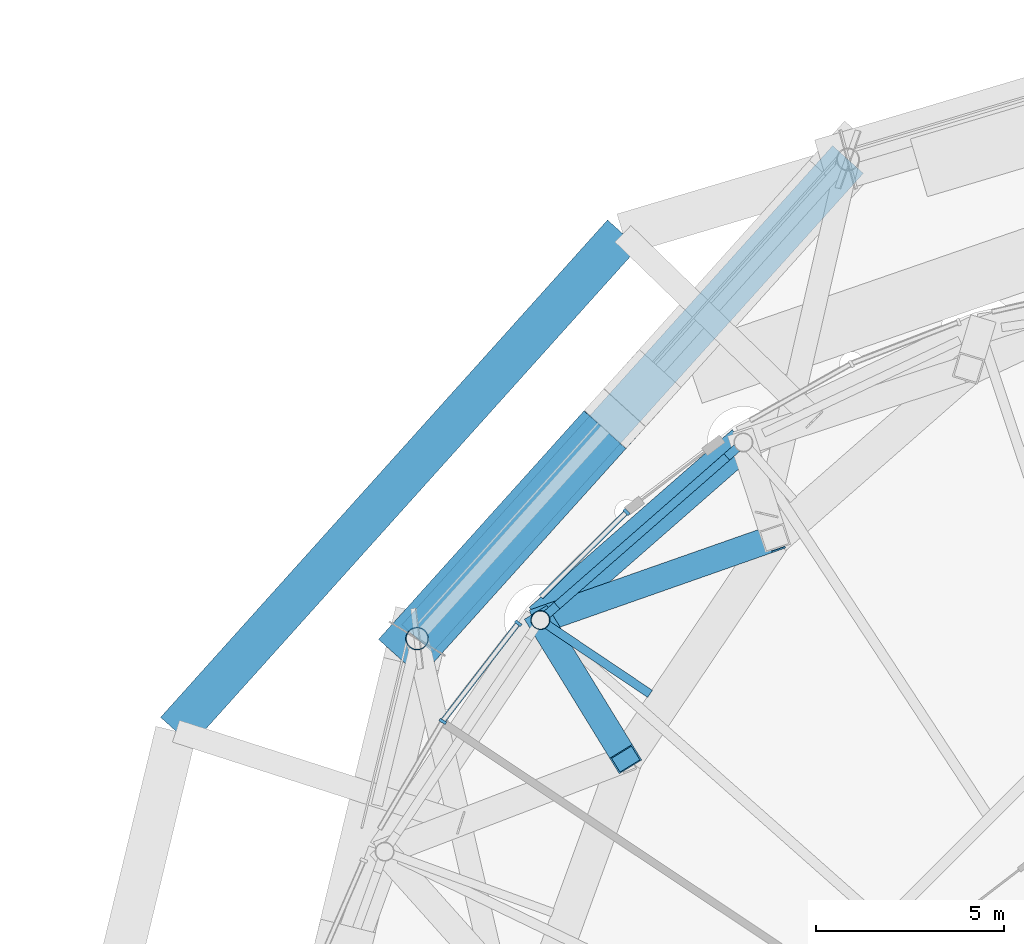
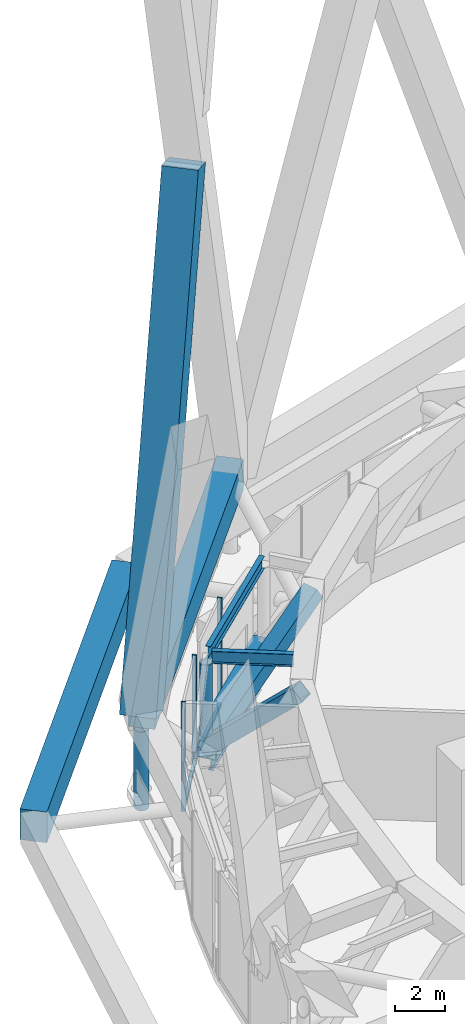
# One storey, part 29 of 49: 10 members, 6 beams, 3 elements without a shape of their own.
"""IFC4 building model written with IfcOpenShell, lengths in metres."""

from ifc_helpers import new_model, si_unit, direction, frame, origin, origin_2d, place, context, subcontext, project, spatial, rectangle, hollow_rectangle, hollow_circle, i_section, extrude, material, layer, layer_set, material_profile, profile_set, type_object, element, aggregate, save


model = new_model("IFC4")

# Units and contexts
model_context = context("Model", 3, precision=1e-05, world=origin(), true_north=direction((0.0, 1.0)))
body_context = subcontext(model_context, "Body", "Model", "MODEL_VIEW")
ifc_project = project(units=[si_unit("LENGTHUNIT", "METRE"), si_unit("AREAUNIT", "SQUARE_METRE"), si_unit("VOLUMEUNIT", "CUBIC_METRE"), si_unit("PLANEANGLEUNIT", "RADIAN"), si_unit("MASSUNIT", "GRAM", prefix="KILO")], contexts=[model_context])

# Site, building, storey
site_placement = place(None, origin())
site = spatial("IfcSite", under=ifc_project, at=site_placement, CompositionType="ELEMENT")
building_placement = place(site_placement, origin())
building = spatial("IfcBuilding", under=site, at=building_placement, Name="Nagisa Residences", CompositionType="ELEMENT")
storey_placement = place(building_placement, frame((0.0, 0.0, 160.300048828125)))
storey = spatial("IfcBuildingStorey", under=building, at=storey_placement, Name="L40", CompositionType="ELEMENT", Elevation=160.300048828125)

# Beams
ifc_material_1 = material(Name="Steel ASTM A572 Gr 50", Category="steel")
ifc_material_profile_1 = material_profile(ifc_material_1, hollow_rectangle(XDim=0.89990234375, YDim=1.199951171875, WallThickness=0.044921875, at=origin_2d()), Name="BX 900x1200x45")
ifc_profile_set_1 = profile_set([ifc_material_profile_1], Name="Steel ASTM A572 Gr 50")
beam_type_1 = type_object("IfcBeamType", Name="Belt chord 3 BX 900x1200x45", PredefinedType="BEAM", material=ifc_profile_set_1)
beam_1_placement = place(storey_placement, frame((-14.8173828125, 22.598876953125, 0.599853515625), z_axis=(-0.752513371651, -0.658576970055, 0.0), x_axis=(0.658576970055, -0.752513371651, 0.0)))
element("IfcBeam", 1, at=beam_1_placement, inside=storey, type_object=beam_type_1, Name="beam:L40:bt3b09", PredefinedType="BEAM", context=body_context, shape_type="SweptSolid", body=[
    extrude(hollow_rectangle(XDim=0.89990234375, YDim=1.199951171875, WallThickness=0.044921875, at=origin_2d()), origin(), (0.0, 0.0, 1.0), 7.16552734375),
])
ifc_material_2 = material(Name="Steel ASTM A572 Gr 50", Category="steel")
ifc_material_profile_2 = material_profile(ifc_material_2, hollow_rectangle(XDim=0.699951171875, YDim=0.699951171875, WallThickness=0.0400390625, at=origin_2d()), Name="BX 700x700x40")
ifc_profile_set_2 = profile_set([ifc_material_profile_2], Name="Steel ASTM A572 Gr 50")
beam_type_2 = type_object("IfcBeamType", Name="Belt diagonal 3 BX 700x700x40", PredefinedType="BEAM", material=ifc_profile_set_2)
beam_2_placement = place(storey_placement, frame((-20.20947265625, 17.8798828125, 0.599853515625), z_axis=(0.799020674965, 0.280588663903, 0.53182324382), x_axis=(-0.331330083036, 0.943514905063, 0.0)))
element("IfcBeam", 2, at=beam_2_placement, inside=storey, type_object=beam_type_2, Name="beam:L40:bt3da10", PredefinedType="BEAM", context=body_context, shape_type="SweptSolid", body=[
    extrude(hollow_rectangle(XDim=0.699951171875, YDim=0.699951171875, WallThickness=0.0400390625, at=origin_2d()), origin(), (0.0, 0.0, 1.0), 7.784912109375),
])
beam_3_placement = place(storey_placement, frame((-20.20947265625, 17.8798828125, 0.599853515625), z_axis=(0.378299808304, -0.616132489854, 0.690847313075), x_axis=(0.852187975652, 0.523235753895, 0.0)))
element("IfcBeam", 3, at=beam_3_placement, inside=storey, type_object=beam_type_2, Name="beam:L40:bt3db10", PredefinedType="BEAM", context=body_context, shape_type="SweptSolid", body=[
    extrude(hollow_rectangle(XDim=0.699951171875, YDim=0.699951171875, WallThickness=0.0400390625, at=origin_2d()), origin(), (0.0, 0.0, 1.0), 5.992919921875),
])

# Curtain wall, member
ifc_material_3 = material(Name="Aluminium curtain wall system", Category="aluminium")
ifc_layer = layer(ifc_material_3, 0.159912109375)
ifc_layer_set = layer_set([ifc_layer], Name="CW2 CURTAIN WALL")
curtain_wall_type = type_object("IfcCurtainWallType", Name="CW2 CURTAIN WALL", PredefinedType="NOTDEFINED", material=ifc_layer_set)
curtain_wall_1_placement = place(storey_placement, origin())
curtain_wall_1 = element("IfcCurtainWall", 4, at=curtain_wall_1_placement, inside=storey, type_object=curtain_wall_type, Name="cw:CW2:L40:17", PredefinedType="NOTDEFINED")
ifc_material_4 = material(Name="Aluminium", Category="aluminium")
ifc_material_profile_3 = material_profile(ifc_material_4, rectangle(XDim=0.199951171875, YDim=0.080078125, at=origin_2d()), Name="CW2 MULLION 200x80")
ifc_profile_set_3 = profile_set([ifc_material_profile_3], Name="Aluminium")
member_type_1 = type_object("IfcMemberType", Name="CW2 MULLION 200x80", PredefinedType="MULLION", material=ifc_profile_set_3)
member_1_placement = place(storey_placement, frame((-17.92529296875, 20.752685546875, 0.0), z_axis=(0.0, 0.0, 1.0), x_axis=(0.706376885714, -0.707835924016, 0.0)))
member_1 = element("IfcMember", 5, at=member_1_placement, type_object=member_type_1, Name="CW2 mullion", PredefinedType="MULLION", context=body_context, shape_type="SweptSolid", body=[
    extrude(rectangle(XDim=0.199951171875, YDim=0.080078125, at=origin_2d()), origin(), (0.0, 0.0, 1.0), 5.33984375),
])

curtain_wall_2_placement = place(storey_placement, origin())
curtain_wall_2 = element("IfcCurtainWall", 6, at=curtain_wall_2_placement, inside=storey, type_object=curtain_wall_type, Name="cw:CW2:L40:18", PredefinedType="NOTDEFINED")
member_2_placement = place(storey_placement, frame((-20.798828125, 17.79638671875, 0.0), z_axis=(0.0, 0.0, 1.0), x_axis=(0.792070340816, -0.610429828235, 0.0)))
member_2 = element("IfcMember", 7, at=member_2_placement, type_object=member_type_1, Name="CW2 mullion", PredefinedType="MULLION", context=body_context, shape_type="SweptSolid", body=[
    extrude(rectangle(XDim=0.199951171875, YDim=0.080078125, at=origin_2d()), origin(), (0.0, 0.0, 1.0), 5.33984375),
])

curtain_wall_3_placement = place(storey_placement, origin())
curtain_wall_3 = element("IfcCurtainWall", 8, at=curtain_wall_3_placement, inside=storey, type_object=curtain_wall_type, Name="cw:CW2:L40:19", PredefinedType="NOTDEFINED")
member_3_placement = place(storey_placement, frame((-22.802978515625, 15.18896484375, 0.0), z_axis=(0.0, 0.0, 1.0), x_axis=(0.862328898214, -0.506348567002, 0.0)))
member_3 = element("IfcMember", 9, at=member_3_placement, type_object=member_type_1, Name="CW2 mullion", PredefinedType="MULLION", context=body_context, shape_type="SweptSolid", body=[
    extrude(rectangle(XDim=0.199951171875, YDim=0.080078125, at=origin_2d()), origin(), (0.0, 0.0, 1.0), 5.33984375),
])
aggregate(curtain_wall_3, [member_3])

# Member
ifc_material_5 = material(Name="Aluminium", Category="aluminium")
ifc_material_profile_4 = material_profile(ifc_material_5, rectangle(XDim=0.139892578125, YDim=0.179931640625, at=origin_2d()), Name="CW2 TRANSOM 140x180")
ifc_profile_set_4 = profile_set([ifc_material_profile_4], Name="Aluminium")
member_type_2 = type_object("IfcMemberType", Name="CW2 TRANSOM 140x180", PredefinedType="USERDEFINED", material=ifc_profile_set_4)
member_4_placement = place(storey_placement, frame((-17.89697265625, 20.781005859375, 0.08984375), z_axis=(-0.707822990825, -0.706389845383, 0.0), x_axis=(0.706389845383, -0.707822990825, 0.0)))
member_4 = element("IfcMember", 10, at=member_4_placement, type_object=member_type_2, Name="CW2 transom", ObjectType="TRANSOM", PredefinedType="USERDEFINED", context=body_context, shape_type="SweptSolid", body=[
    extrude(rectangle(XDim=0.139892578125, YDim=0.179931640625, at=origin_2d()), origin(), (0.0, 0.0, 1.0), 3.23681640625),
])

aggregate(curtain_wall_1, [member_1, member_4])

member_5_placement = place(storey_placement, frame((-20.7744140625, 17.828125, 0.08984375), z_axis=(-0.61045080008, -0.79205417787, 0.0), x_axis=(0.79205417787, -0.61045080008, 0.0)))
member_5 = element("IfcMember", 11, at=member_5_placement, type_object=member_type_2, Name="CW2 transom", ObjectType="TRANSOM", PredefinedType="USERDEFINED", context=body_context, shape_type="SweptSolid", body=[
    extrude(rectangle(XDim=0.139892578125, YDim=0.179931640625, at=origin_2d()), origin(), (0.0, 0.0, 1.0), 3.299072265625),
])

aggregate(curtain_wall_2, [member_2, member_5])

# Members
ifc_material_6 = material(Name="Concrete C80", Category="concrete")
ifc_material_profile_5 = material_profile(ifc_material_6, rectangle(XDim=1.5, YDim=1.5, at=origin_2d()), Name="C80 1500x1500")
ifc_profile_set_5 = profile_set([ifc_material_profile_5], Name="Concrete C80")
member_type_3 = type_object("IfcMemberType", Name="Cage diagonal 4 C80 1500x1500", PredefinedType="BRACE", material=ifc_profile_set_5)
member_6_placement = place(storey_placement, frame((-23.48486328125, 17.387451171875, 3.699951171875), z_axis=(0.240088711993, 0.266960868955, 0.933321651319), x_axis=(-0.743537936889, 0.668693753827, 0.0)))
element("IfcMember", 12, at=member_6_placement, inside=storey, type_object=member_type_3, Name="mem:L40:cg4d010a", PredefinedType="BRACE", context=body_context, shape_type="SweptSolid", body=[
    extrude(rectangle(XDim=1.5, YDim=1.5, at=origin_2d()), origin(), (0.0, 0.0, 1.0), 22.740478515625),
])
ifc_material_7 = material(Name="Concrete C80", Category="concrete")
ifc_material_profile_6 = material_profile(ifc_material_7, rectangle(XDim=1.10009765625, YDim=1.5, at=origin_2d()), Name="C80 1100x1500")
ifc_profile_set_6 = profile_set([ifc_material_profile_6], Name="Concrete C80")
member_type_4 = type_object("IfcMemberType", Name="Cage ring 3 C80 1100x1500", PredefinedType="CHORD", material=ifc_profile_set_6)
member_7_placement = place(storey_placement, frame((-18.017578125, 28.1416015625, 1.89990234375), z_axis=(-0.668384358663, -0.743816072087, 0.0), x_axis=(0.743816072087, -0.668384358663, 0.0)))
element("IfcMember", 13, at=member_7_placement, inside=storey, type_object=member_type_4, Name="beam:L40:cg3r105", PredefinedType="CHORD", context=body_context, shape_type="SweptSolid", body=[
    extrude(rectangle(XDim=1.10009765625, YDim=1.5, at=origin_2d()), origin(), (0.0, 0.0, 1.0), 17.762451171875),
])
ifc_material_8 = material(Name="Concrete C80", Category="concrete")
ifc_material_profile_7 = material_profile(ifc_material_8, rectangle(XDim=1.10009765625, YDim=1.5, at=origin_2d()), Name="C80 1100x1500")
ifc_profile_set_7 = profile_set([ifc_material_profile_7], Name="Concrete C80")
member_type_5 = type_object("IfcMemberType", Name="Cage ring 4 C80 1100x1500", PredefinedType="CHORD", material=ifc_profile_set_7)
member_8_placement = place(storey_placement, frame((-12.03759765625, 30.115966796875, 3.699951171875), z_axis=(-0.668693639679, -0.743538039547, 0.0), x_axis=(0.743538039547, -0.668693639679, 0.0)))
element("IfcMember", 14, at=member_8_placement, inside=storey, type_object=member_type_5, Name="beam:L40:cg4r005", PredefinedType="CHORD", context=body_context, shape_type="SweptSolid", body=[
    extrude(rectangle(XDim=1.10009765625, YDim=1.5, at=origin_2d()), origin(), (0.0, 0.0, 1.0), 17.118896484375),
])
ifc_material_9 = material(Name="Steel ASTM A572 Gr 65", Category="steel")
ifc_material_profile_8 = material_profile(ifc_material_9, hollow_circle(Radius=0.304931640625, WallThickness=0.02490234375, at=origin_2d()), Name="CHS 610x25")
ifc_profile_set_8 = profile_set([ifc_material_profile_8], Name="Steel ASTM A572 Gr 65")
member_type_6 = type_object("IfcMemberType", Name="Deck hanger CHS 610x25", PredefinedType="POST", material=ifc_profile_set_8)
member_9_placement = place(storey_placement, frame((-23.48486328125, 17.387451171875, 2.949951171875), z_axis=(0.0, 0.0, -1.0), x_axis=(1.0, 0.0, 0.0)))
element("IfcMember", 15, at=member_9_placement, inside=storey, type_object=member_type_6, Name="mem:L40:deckhanger06", PredefinedType="POST", context=body_context, shape_type="SweptSolid", body=[
    extrude(hollow_circle(Radius=0.304931640625, WallThickness=0.02490234375, at=origin_2d()), origin(), (0.0, 0.0, 1.0), 3.840087890625),
])

# Beam
ifc_material_10 = material(Name="Steel ASTM A572 Gr 50", Category="steel")
ifc_material_profile_9 = material_profile(ifc_material_10, i_section(OverallWidth=0.22802734375, OverallDepth=0.60302734375, WebThickness=0.010498046875, FlangeThickness=0.014892578125, at=origin_2d()), Name="W610x101")
ifc_profile_set_9 = profile_set([ifc_material_profile_9], Name="Steel ASTM A572 Gr 50")
beam_type_3 = type_object("IfcBeamType", Name="Garden edge beam W610x101", PredefinedType="BEAM", material=ifc_profile_set_9)
beam_4_placement = place(storey_placement, frame((-14.99365234375, 22.44482421875, 5.038330078125), z_axis=(-0.752497654191, -0.658594928948, 0.0), x_axis=(0.658594928948, -0.752497654191, 0.0)))
element("IfcBeam", 16, at=beam_4_placement, inside=storey, type_object=beam_type_3, Name="beam:L40:bt3ge09", PredefinedType="BEAM", context=body_context, shape_type="SweptSolid", body=[
    extrude(i_section(OverallWidth=0.22802734375, OverallDepth=0.60302734375, WebThickness=0.010498046875, FlangeThickness=0.014892578125, at=origin_2d()), origin(), (0.0, 0.0, 1.0), 6.697509765625),
])

# Member
ifc_material_11 = material(Name="Steel ASTM A572 Gr 65", Category="steel")
ifc_material_profile_10 = material_profile(ifc_material_11, hollow_circle(Radius=0.25390625, WallThickness=0.02001953125, at=origin_2d()), Name="CHS 508x20")
ifc_profile_set_10 = profile_set([ifc_material_profile_10], Name="Steel ASTM A572 Gr 65")
member_type_7 = type_object("IfcMemberType", Name="Garden edge post CHS 508x20", PredefinedType="POST", material=ifc_profile_set_10)
member_10_placement = place(storey_placement, frame((-20.20947265625, 17.8798828125, 1.199951171875), z_axis=(0.0, 0.0, 1.0), x_axis=(1.0, 0.0, 0.0)))
element("IfcMember", 17, at=member_10_placement, inside=storey, type_object=member_type_7, Name="mem:L40:gp310", PredefinedType="POST", context=body_context, shape_type="SweptSolid", body=[
    extrude(hollow_circle(Radius=0.25390625, WallThickness=0.02001953125, at=origin_2d()), origin(), (0.0, 0.0, 1.0), 3.537109375),
])

# Beams
ifc_material_12 = material(Name="Steel ASTM A572 Gr 50", Category="steel")
ifc_material_profile_11 = material_profile(ifc_material_12, i_section(OverallWidth=0.22802734375, OverallDepth=0.60302734375, WebThickness=0.010498046875, FlangeThickness=0.014892578125, at=origin_2d()), Name="W610x101")
ifc_profile_set_11 = profile_set([ifc_material_profile_11], Name="Steel ASTM A572 Gr 50")
beam_type_4 = type_object("IfcBeamType", Name="Garden radial beam W610x101", PredefinedType="BEAM", material=ifc_profile_set_11)
beam_5_placement = place(storey_placement, frame((-20.015380859375, 17.749267578125, 5.038330078125), z_axis=(0.829751584697, -0.558132876377, 0.0), x_axis=(0.558132876377, 0.829751584697, 0.0)))
element("IfcBeam", 18, at=beam_5_placement, inside=storey, type_object=beam_type_4, Name="beam:L40:bt3gr10", PredefinedType="BEAM", context=body_context, shape_type="SweptSolid", body=[
    extrude(i_section(OverallWidth=0.22802734375, OverallDepth=0.60302734375, WebThickness=0.010498046875, FlangeThickness=0.014892578125, at=origin_2d()), origin(), (0.0, 0.0, 1.0), 3.278076171875),
])
ifc_material_13 = material(Name="Steel ASTM A572 Gr 50", Category="steel")
ifc_material_profile_12 = material_profile(ifc_material_13, i_section(OverallWidth=0.22802734375, OverallDepth=0.60302734375, WebThickness=0.010498046875, FlangeThickness=0.014892578125, at=origin_2d()), Name="W610x101")
ifc_profile_set_12 = profile_set([ifc_material_profile_12], Name="Steel ASTM A572 Gr 50")
beam_type_5 = type_object("IfcBeamType", Name="Perimeter ring beam W610x101", PredefinedType="BEAM", material=ifc_profile_set_12)
beam_6_placement = place(storey_placement, frame((-15.25830078125, 22.213134765625, -0.651611328125), z_axis=(-0.752503526528, -0.658588219272, 0.0), x_axis=(0.658588219272, -0.752503526528, 0.0)))
element("IfcBeam", 19, at=beam_6_placement, inside=storey, type_object=beam_type_5, Name="beam:L40:pb09", PredefinedType="BEAM", context=body_context, shape_type="SweptSolid", body=[
    extrude(i_section(OverallWidth=0.22802734375, OverallDepth=0.60302734375, WebThickness=0.010498046875, FlangeThickness=0.014892578125, at=origin_2d()), origin(), (0.0, 0.0, 1.0), 5.99462890625),
])

save(model, "model.ifc")
